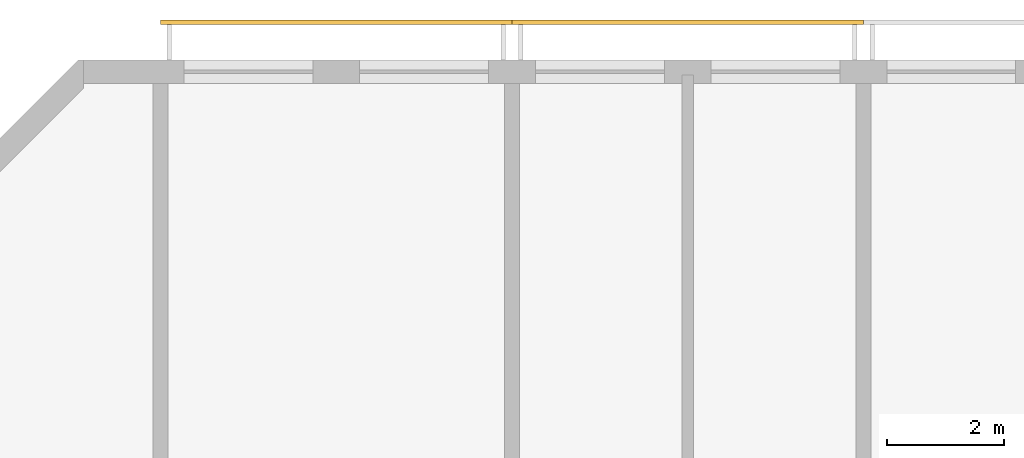
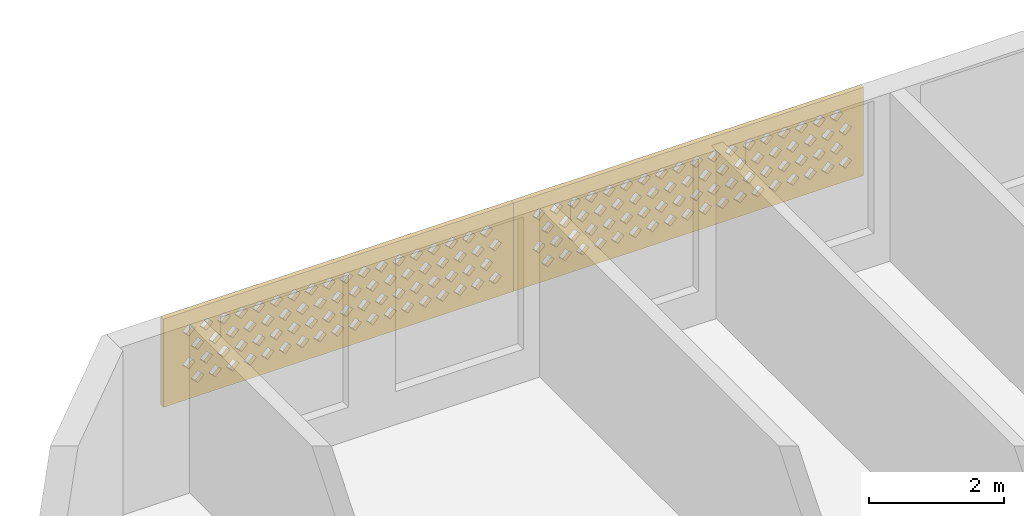
# One storey, part 13 of 18: 2 coverings.
"""IFC4 building model written with IfcOpenShell, lengths in metres."""

from ifc_helpers import new_model, si_unit, direction, frame, origin, place, context, subcontext, project, spatial, polyline, outline, extrude, source, transform, mapped, material, material_profile, profile_set, type_object, element, save


model = new_model("IFC4")

# Units and contexts
model_context = context("Model", 3, precision=1e-05, world=origin(), true_north=direction((0.0, 1.0)))
body_context = subcontext(model_context, "Body", "Model", "MODEL_VIEW")
ifc_project = project(units=[si_unit("LENGTHUNIT", "METRE"), si_unit("AREAUNIT", "SQUARE_METRE"), si_unit("VOLUMEUNIT", "CUBIC_METRE"), si_unit("PLANEANGLEUNIT", "RADIAN"), si_unit("MASSUNIT", "GRAM", prefix="KILO")], contexts=[model_context])

# Site, building, storey
site_placement = place(None, origin())
site = spatial("IfcSite", under=ifc_project, at=site_placement, CompositionType="ELEMENT")
building_placement = place(site_placement, origin())
building = spatial("IfcBuilding", under=site, at=building_placement, Name="Poui Terraces", CompositionType="ELEMENT")
storey_placement = place(building_placement, frame((0.0, 0.0, 272.39990234375)))
storey = spatial("IfcBuildingStorey", under=building, at=storey_placement, Name="L75 CROWN", CompositionType="ELEMENT", Elevation=272.39990234375)

# Coverings
ifc_material = material(Name="Terracotta screen", Category="masonry")
ifc_material_profile = material_profile(ifc_material, outline(polyline([(-3.0, -0.800048828125), (3.0, -0.800048828125), (3.0, 0.800048828125), (-3.0, 0.800048828125), (-3.0, -0.800048828125)]), holes=[polyline([(-2.800048828125, -0.449951171875), (-2.68994140625, -0.56005859375), (-2.580078125, -0.449951171875), (-2.68994140625, -0.340087890625), (-2.800048828125, -0.449951171875)]), polyline([(-2.5, -0.449951171875), (-2.389892578125, -0.56005859375), (-2.280029296875, -0.449951171875), (-2.389892578125, -0.340087890625), (-2.5, -0.449951171875)]), polyline([(-2.199951171875, -0.449951171875), (-2.090087890625, -0.56005859375), (-1.97998046875, -0.449951171875), (-2.090087890625, -0.340087890625), (-2.199951171875, -0.449951171875)]), polyline([(-1.89990234375, -0.449951171875), (-1.7900390625, -0.56005859375), (-1.679931640625, -0.449951171875), (-1.7900390625, -0.340087890625), (-1.89990234375, -0.449951171875)]), polyline([(-1.60009765625, -0.449951171875), (-1.489990234375, -0.56005859375), (-1.3798828125, -0.449951171875), (-1.489990234375, -0.340087890625), (-1.60009765625, -0.449951171875)]), polyline([(-1.300048828125, -0.449951171875), (-1.18994140625, -0.56005859375), (-1.080078125, -0.449951171875), (-1.18994140625, -0.340087890625), (-1.300048828125, -0.449951171875)]), polyline([(-1.0, -0.449951171875), (-0.889892578125, -0.56005859375), (-0.780029296875, -0.449951171875), (-0.889892578125, -0.340087890625), (-1.0, -0.449951171875)]), polyline([(-0.699951171875, -0.449951171875), (-0.590087890625, -0.56005859375), (-0.47998046875, -0.449951171875), (-0.590087890625, -0.340087890625), (-0.699951171875, -0.449951171875)]), polyline([(-0.39990234375, -0.449951171875), (-0.2900390625, -0.56005859375), (-0.179931640625, -0.449951171875), (-0.2900390625, -0.340087890625), (-0.39990234375, -0.449951171875)]), polyline([(-0.10009765625, -0.449951171875), (0.010009765625, -0.56005859375), (0.1201171875, -0.449951171875), (0.010009765625, -0.340087890625), (-0.10009765625, -0.449951171875)]), polyline([(0.199951171875, -0.449951171875), (0.31005859375, -0.56005859375), (0.419921875, -0.449951171875), (0.31005859375, -0.340087890625), (0.199951171875, -0.449951171875)]), polyline([(0.5, -0.449951171875), (0.610107421875, -0.56005859375), (0.719970703125, -0.449951171875), (0.610107421875, -0.340087890625), (0.5, -0.449951171875)]), polyline([(0.800048828125, -0.449951171875), (0.909912109375, -0.56005859375), (1.02001953125, -0.449951171875), (0.909912109375, -0.340087890625), (0.800048828125, -0.449951171875)]), polyline([(1.10009765625, -0.449951171875), (1.2099609375, -0.56005859375), (1.320068359375, -0.449951171875), (1.2099609375, -0.340087890625), (1.10009765625, -0.449951171875)]), polyline([(1.39990234375, -0.449951171875), (1.510009765625, -0.56005859375), (1.6201171875, -0.449951171875), (1.510009765625, -0.340087890625), (1.39990234375, -0.449951171875)]), polyline([(1.699951171875, -0.449951171875), (1.81005859375, -0.56005859375), (1.919921875, -0.449951171875), (1.81005859375, -0.340087890625), (1.699951171875, -0.449951171875)]), polyline([(2.0, -0.449951171875), (2.110107421875, -0.56005859375), (2.219970703125, -0.449951171875), (2.110107421875, -0.340087890625), (2.0, -0.449951171875)]), polyline([(2.300048828125, -0.449951171875), (2.409912109375, -0.56005859375), (2.52001953125, -0.449951171875), (2.409912109375, -0.340087890625), (2.300048828125, -0.449951171875)]), polyline([(-2.64990234375, -0.14990234375), (-2.5400390625, -0.260009765625), (-2.429931640625, -0.14990234375), (-2.5400390625, -0.0400390625), (-2.64990234375, -0.14990234375)]), polyline([(-2.35009765625, -0.14990234375), (-2.239990234375, -0.260009765625), (-2.1298828125, -0.14990234375), (-2.239990234375, -0.0400390625), (-2.35009765625, -0.14990234375)]), polyline([(-2.050048828125, -0.14990234375), (-1.93994140625, -0.260009765625), (-1.830078125, -0.14990234375), (-1.93994140625, -0.0400390625), (-2.050048828125, -0.14990234375)]), polyline([(-1.75, -0.14990234375), (-1.639892578125, -0.260009765625), (-1.530029296875, -0.14990234375), (-1.639892578125, -0.0400390625), (-1.75, -0.14990234375)]), polyline([(-1.449951171875, -0.14990234375), (-1.340087890625, -0.260009765625), (-1.22998046875, -0.14990234375), (-1.340087890625, -0.0400390625), (-1.449951171875, -0.14990234375)]), polyline([(-1.14990234375, -0.14990234375), (-1.0400390625, -0.260009765625), (-0.929931640625, -0.14990234375), (-1.0400390625, -0.0400390625), (-1.14990234375, -0.14990234375)]), polyline([(-0.85009765625, -0.14990234375), (-0.739990234375, -0.260009765625), (-0.6298828125, -0.14990234375), (-0.739990234375, -0.0400390625), (-0.85009765625, -0.14990234375)]), polyline([(-0.550048828125, -0.14990234375), (-0.43994140625, -0.260009765625), (-0.330078125, -0.14990234375), (-0.43994140625, -0.0400390625), (-0.550048828125, -0.14990234375)]), polyline([(-0.25, -0.14990234375), (-0.139892578125, -0.260009765625), (-0.030029296875, -0.14990234375), (-0.139892578125, -0.0400390625), (-0.25, -0.14990234375)]), polyline([(0.050048828125, -0.14990234375), (0.159912109375, -0.260009765625), (0.27001953125, -0.14990234375), (0.159912109375, -0.0400390625), (0.050048828125, -0.14990234375)]), polyline([(0.35009765625, -0.14990234375), (0.4599609375, -0.260009765625), (0.570068359375, -0.14990234375), (0.4599609375, -0.0400390625), (0.35009765625, -0.14990234375)]), polyline([(0.64990234375, -0.14990234375), (0.760009765625, -0.260009765625), (0.8701171875, -0.14990234375), (0.760009765625, -0.0400390625), (0.64990234375, -0.14990234375)]), polyline([(0.949951171875, -0.14990234375), (1.06005859375, -0.260009765625), (1.169921875, -0.14990234375), (1.06005859375, -0.0400390625), (0.949951171875, -0.14990234375)]), polyline([(1.25, -0.14990234375), (1.360107421875, -0.260009765625), (1.469970703125, -0.14990234375), (1.360107421875, -0.0400390625), (1.25, -0.14990234375)]), polyline([(1.550048828125, -0.14990234375), (1.659912109375, -0.260009765625), (1.77001953125, -0.14990234375), (1.659912109375, -0.0400390625), (1.550048828125, -0.14990234375)]), polyline([(1.85009765625, -0.14990234375), (1.9599609375, -0.260009765625), (2.070068359375, -0.14990234375), (1.9599609375, -0.0400390625), (1.85009765625, -0.14990234375)]), polyline([(2.14990234375, -0.14990234375), (2.260009765625, -0.260009765625), (2.3701171875, -0.14990234375), (2.260009765625, -0.0400390625), (2.14990234375, -0.14990234375)]), polyline([(2.449951171875, -0.14990234375), (2.56005859375, -0.260009765625), (2.669921875, -0.14990234375), (2.56005859375, -0.0400390625), (2.449951171875, -0.14990234375)]), polyline([(-2.800048828125, 0.14990234375), (-2.68994140625, 0.0400390625), (-2.580078125, 0.14990234375), (-2.68994140625, 0.260009765625), (-2.800048828125, 0.14990234375)]), polyline([(-2.5, 0.14990234375), (-2.389892578125, 0.0400390625), (-2.280029296875, 0.14990234375), (-2.389892578125, 0.260009765625), (-2.5, 0.14990234375)]), polyline([(-2.199951171875, 0.14990234375), (-2.090087890625, 0.0400390625), (-1.97998046875, 0.14990234375), (-2.090087890625, 0.260009765625), (-2.199951171875, 0.14990234375)]), polyline([(-1.89990234375, 0.14990234375), (-1.7900390625, 0.0400390625), (-1.679931640625, 0.14990234375), (-1.7900390625, 0.260009765625), (-1.89990234375, 0.14990234375)]), polyline([(-1.60009765625, 0.14990234375), (-1.489990234375, 0.0400390625), (-1.3798828125, 0.14990234375), (-1.489990234375, 0.260009765625), (-1.60009765625, 0.14990234375)]), polyline([(-1.300048828125, 0.14990234375), (-1.18994140625, 0.0400390625), (-1.080078125, 0.14990234375), (-1.18994140625, 0.260009765625), (-1.300048828125, 0.14990234375)]), polyline([(-1.0, 0.14990234375), (-0.889892578125, 0.0400390625), (-0.780029296875, 0.14990234375), (-0.889892578125, 0.260009765625), (-1.0, 0.14990234375)]), polyline([(-0.699951171875, 0.14990234375), (-0.590087890625, 0.0400390625), (-0.47998046875, 0.14990234375), (-0.590087890625, 0.260009765625), (-0.699951171875, 0.14990234375)]), polyline([(-0.39990234375, 0.14990234375), (-0.2900390625, 0.0400390625), (-0.179931640625, 0.14990234375), (-0.2900390625, 0.260009765625), (-0.39990234375, 0.14990234375)]), polyline([(-0.10009765625, 0.14990234375), (0.010009765625, 0.0400390625), (0.1201171875, 0.14990234375), (0.010009765625, 0.260009765625), (-0.10009765625, 0.14990234375)]), polyline([(0.199951171875, 0.14990234375), (0.31005859375, 0.0400390625), (0.419921875, 0.14990234375), (0.31005859375, 0.260009765625), (0.199951171875, 0.14990234375)]), polyline([(0.5, 0.14990234375), (0.610107421875, 0.0400390625), (0.719970703125, 0.14990234375), (0.610107421875, 0.260009765625), (0.5, 0.14990234375)]), polyline([(0.800048828125, 0.14990234375), (0.909912109375, 0.0400390625), (1.02001953125, 0.14990234375), (0.909912109375, 0.260009765625), (0.800048828125, 0.14990234375)]), polyline([(1.10009765625, 0.14990234375), (1.2099609375, 0.0400390625), (1.320068359375, 0.14990234375), (1.2099609375, 0.260009765625), (1.10009765625, 0.14990234375)]), polyline([(1.39990234375, 0.14990234375), (1.510009765625, 0.0400390625), (1.6201171875, 0.14990234375), (1.510009765625, 0.260009765625), (1.39990234375, 0.14990234375)]), polyline([(1.699951171875, 0.14990234375), (1.81005859375, 0.0400390625), (1.919921875, 0.14990234375), (1.81005859375, 0.260009765625), (1.699951171875, 0.14990234375)]), polyline([(2.0, 0.14990234375), (2.110107421875, 0.0400390625), (2.219970703125, 0.14990234375), (2.110107421875, 0.260009765625), (2.0, 0.14990234375)]), polyline([(2.300048828125, 0.14990234375), (2.409912109375, 0.0400390625), (2.52001953125, 0.14990234375), (2.409912109375, 0.260009765625), (2.300048828125, 0.14990234375)]), polyline([(-2.64990234375, 0.449951171875), (-2.5400390625, 0.340087890625), (-2.429931640625, 0.449951171875), (-2.5400390625, 0.56005859375), (-2.64990234375, 0.449951171875)]), polyline([(-2.35009765625, 0.449951171875), (-2.239990234375, 0.340087890625), (-2.1298828125, 0.449951171875), (-2.239990234375, 0.56005859375), (-2.35009765625, 0.449951171875)]), polyline([(-2.050048828125, 0.449951171875), (-1.93994140625, 0.340087890625), (-1.830078125, 0.449951171875), (-1.93994140625, 0.56005859375), (-2.050048828125, 0.449951171875)]), polyline([(-1.75, 0.449951171875), (-1.639892578125, 0.340087890625), (-1.530029296875, 0.449951171875), (-1.639892578125, 0.56005859375), (-1.75, 0.449951171875)]), polyline([(-1.449951171875, 0.449951171875), (-1.340087890625, 0.340087890625), (-1.22998046875, 0.449951171875), (-1.340087890625, 0.56005859375), (-1.449951171875, 0.449951171875)]), polyline([(-1.14990234375, 0.449951171875), (-1.0400390625, 0.340087890625), (-0.929931640625, 0.449951171875), (-1.0400390625, 0.56005859375), (-1.14990234375, 0.449951171875)]), polyline([(-0.85009765625, 0.449951171875), (-0.739990234375, 0.340087890625), (-0.6298828125, 0.449951171875), (-0.739990234375, 0.56005859375), (-0.85009765625, 0.449951171875)]), polyline([(-0.550048828125, 0.449951171875), (-0.43994140625, 0.340087890625), (-0.330078125, 0.449951171875), (-0.43994140625, 0.56005859375), (-0.550048828125, 0.449951171875)]), polyline([(-0.25, 0.449951171875), (-0.139892578125, 0.340087890625), (-0.030029296875, 0.449951171875), (-0.139892578125, 0.56005859375), (-0.25, 0.449951171875)]), polyline([(0.050048828125, 0.449951171875), (0.159912109375, 0.340087890625), (0.27001953125, 0.449951171875), (0.159912109375, 0.56005859375), (0.050048828125, 0.449951171875)]), polyline([(0.35009765625, 0.449951171875), (0.4599609375, 0.340087890625), (0.570068359375, 0.449951171875), (0.4599609375, 0.56005859375), (0.35009765625, 0.449951171875)]), polyline([(0.64990234375, 0.449951171875), (0.760009765625, 0.340087890625), (0.8701171875, 0.449951171875), (0.760009765625, 0.56005859375), (0.64990234375, 0.449951171875)]), polyline([(0.949951171875, 0.449951171875), (1.06005859375, 0.340087890625), (1.169921875, 0.449951171875), (1.06005859375, 0.56005859375), (0.949951171875, 0.449951171875)]), polyline([(1.25, 0.449951171875), (1.360107421875, 0.340087890625), (1.469970703125, 0.449951171875), (1.360107421875, 0.56005859375), (1.25, 0.449951171875)]), polyline([(1.550048828125, 0.449951171875), (1.659912109375, 0.340087890625), (1.77001953125, 0.449951171875), (1.659912109375, 0.56005859375), (1.550048828125, 0.449951171875)]), polyline([(1.85009765625, 0.449951171875), (1.9599609375, 0.340087890625), (2.070068359375, 0.449951171875), (1.9599609375, 0.56005859375), (1.85009765625, 0.449951171875)]), polyline([(2.14990234375, 0.449951171875), (2.260009765625, 0.340087890625), (2.3701171875, 0.449951171875), (2.260009765625, 0.56005859375), (2.14990234375, 0.449951171875)]), polyline([(2.449951171875, 0.449951171875), (2.56005859375, 0.340087890625), (2.669921875, 0.449951171875), (2.56005859375, 0.56005859375), (2.449951171875, 0.449951171875)])]), Name="TERRACOTTA SOLAR SCREEN 6000X1600")
ifc_profile_set = profile_set([ifc_material_profile], Name="Terracotta screen")
covering_type = type_object("IfcCoveringType", Name="TERRACOTTA SOLAR SCREEN 6000X1600", PredefinedType="CLADDING", material=ifc_profile_set)
shared_shape = source(origin(), body_context, "Body", "SweptSolid", [
    extrude(outline(polyline([(-3.0, -0.800048828125), (3.0, -0.800048828125), (3.0, 0.800048828125), (-3.0, 0.800048828125), (-3.0, -0.800048828125)]), holes=[polyline([(-2.800048828125, -0.449951171875), (-2.68994140625, -0.56005859375), (-2.580078125, -0.449951171875), (-2.68994140625, -0.340087890625), (-2.800048828125, -0.449951171875)]), polyline([(-2.5, -0.449951171875), (-2.389892578125, -0.56005859375), (-2.280029296875, -0.449951171875), (-2.389892578125, -0.340087890625), (-2.5, -0.449951171875)]), polyline([(-2.199951171875, -0.449951171875), (-2.090087890625, -0.56005859375), (-1.97998046875, -0.449951171875), (-2.090087890625, -0.340087890625), (-2.199951171875, -0.449951171875)]), polyline([(-1.89990234375, -0.449951171875), (-1.7900390625, -0.56005859375), (-1.679931640625, -0.449951171875), (-1.7900390625, -0.340087890625), (-1.89990234375, -0.449951171875)]), polyline([(-1.60009765625, -0.449951171875), (-1.489990234375, -0.56005859375), (-1.3798828125, -0.449951171875), (-1.489990234375, -0.340087890625), (-1.60009765625, -0.449951171875)]), polyline([(-1.300048828125, -0.449951171875), (-1.18994140625, -0.56005859375), (-1.080078125, -0.449951171875), (-1.18994140625, -0.340087890625), (-1.300048828125, -0.449951171875)]), polyline([(-1.0, -0.449951171875), (-0.889892578125, -0.56005859375), (-0.780029296875, -0.449951171875), (-0.889892578125, -0.340087890625), (-1.0, -0.449951171875)]), polyline([(-0.699951171875, -0.449951171875), (-0.590087890625, -0.56005859375), (-0.47998046875, -0.449951171875), (-0.590087890625, -0.340087890625), (-0.699951171875, -0.449951171875)]), polyline([(-0.39990234375, -0.449951171875), (-0.2900390625, -0.56005859375), (-0.179931640625, -0.449951171875), (-0.2900390625, -0.340087890625), (-0.39990234375, -0.449951171875)]), polyline([(-0.10009765625, -0.449951171875), (0.010009765625, -0.56005859375), (0.1201171875, -0.449951171875), (0.010009765625, -0.340087890625), (-0.10009765625, -0.449951171875)]), polyline([(0.199951171875, -0.449951171875), (0.31005859375, -0.56005859375), (0.419921875, -0.449951171875), (0.31005859375, -0.340087890625), (0.199951171875, -0.449951171875)]), polyline([(0.5, -0.449951171875), (0.610107421875, -0.56005859375), (0.719970703125, -0.449951171875), (0.610107421875, -0.340087890625), (0.5, -0.449951171875)]), polyline([(0.800048828125, -0.449951171875), (0.909912109375, -0.56005859375), (1.02001953125, -0.449951171875), (0.909912109375, -0.340087890625), (0.800048828125, -0.449951171875)]), polyline([(1.10009765625, -0.449951171875), (1.2099609375, -0.56005859375), (1.320068359375, -0.449951171875), (1.2099609375, -0.340087890625), (1.10009765625, -0.449951171875)]), polyline([(1.39990234375, -0.449951171875), (1.510009765625, -0.56005859375), (1.6201171875, -0.449951171875), (1.510009765625, -0.340087890625), (1.39990234375, -0.449951171875)]), polyline([(1.699951171875, -0.449951171875), (1.81005859375, -0.56005859375), (1.919921875, -0.449951171875), (1.81005859375, -0.340087890625), (1.699951171875, -0.449951171875)]), polyline([(2.0, -0.449951171875), (2.110107421875, -0.56005859375), (2.219970703125, -0.449951171875), (2.110107421875, -0.340087890625), (2.0, -0.449951171875)]), polyline([(2.300048828125, -0.449951171875), (2.409912109375, -0.56005859375), (2.52001953125, -0.449951171875), (2.409912109375, -0.340087890625), (2.300048828125, -0.449951171875)]), polyline([(-2.64990234375, -0.14990234375), (-2.5400390625, -0.260009765625), (-2.429931640625, -0.14990234375), (-2.5400390625, -0.0400390625), (-2.64990234375, -0.14990234375)]), polyline([(-2.35009765625, -0.14990234375), (-2.239990234375, -0.260009765625), (-2.1298828125, -0.14990234375), (-2.239990234375, -0.0400390625), (-2.35009765625, -0.14990234375)]), polyline([(-2.050048828125, -0.14990234375), (-1.93994140625, -0.260009765625), (-1.830078125, -0.14990234375), (-1.93994140625, -0.0400390625), (-2.050048828125, -0.14990234375)]), polyline([(-1.75, -0.14990234375), (-1.639892578125, -0.260009765625), (-1.530029296875, -0.14990234375), (-1.639892578125, -0.0400390625), (-1.75, -0.14990234375)]), polyline([(-1.449951171875, -0.14990234375), (-1.340087890625, -0.260009765625), (-1.22998046875, -0.14990234375), (-1.340087890625, -0.0400390625), (-1.449951171875, -0.14990234375)]), polyline([(-1.14990234375, -0.14990234375), (-1.0400390625, -0.260009765625), (-0.929931640625, -0.14990234375), (-1.0400390625, -0.0400390625), (-1.14990234375, -0.14990234375)]), polyline([(-0.85009765625, -0.14990234375), (-0.739990234375, -0.260009765625), (-0.6298828125, -0.14990234375), (-0.739990234375, -0.0400390625), (-0.85009765625, -0.14990234375)]), polyline([(-0.550048828125, -0.14990234375), (-0.43994140625, -0.260009765625), (-0.330078125, -0.14990234375), (-0.43994140625, -0.0400390625), (-0.550048828125, -0.14990234375)]), polyline([(-0.25, -0.14990234375), (-0.139892578125, -0.260009765625), (-0.030029296875, -0.14990234375), (-0.139892578125, -0.0400390625), (-0.25, -0.14990234375)]), polyline([(0.050048828125, -0.14990234375), (0.159912109375, -0.260009765625), (0.27001953125, -0.14990234375), (0.159912109375, -0.0400390625), (0.050048828125, -0.14990234375)]), polyline([(0.35009765625, -0.14990234375), (0.4599609375, -0.260009765625), (0.570068359375, -0.14990234375), (0.4599609375, -0.0400390625), (0.35009765625, -0.14990234375)]), polyline([(0.64990234375, -0.14990234375), (0.760009765625, -0.260009765625), (0.8701171875, -0.14990234375), (0.760009765625, -0.0400390625), (0.64990234375, -0.14990234375)]), polyline([(0.949951171875, -0.14990234375), (1.06005859375, -0.260009765625), (1.169921875, -0.14990234375), (1.06005859375, -0.0400390625), (0.949951171875, -0.14990234375)]), polyline([(1.25, -0.14990234375), (1.360107421875, -0.260009765625), (1.469970703125, -0.14990234375), (1.360107421875, -0.0400390625), (1.25, -0.14990234375)]), polyline([(1.550048828125, -0.14990234375), (1.659912109375, -0.260009765625), (1.77001953125, -0.14990234375), (1.659912109375, -0.0400390625), (1.550048828125, -0.14990234375)]), polyline([(1.85009765625, -0.14990234375), (1.9599609375, -0.260009765625), (2.070068359375, -0.14990234375), (1.9599609375, -0.0400390625), (1.85009765625, -0.14990234375)]), polyline([(2.14990234375, -0.14990234375), (2.260009765625, -0.260009765625), (2.3701171875, -0.14990234375), (2.260009765625, -0.0400390625), (2.14990234375, -0.14990234375)]), polyline([(2.449951171875, -0.14990234375), (2.56005859375, -0.260009765625), (2.669921875, -0.14990234375), (2.56005859375, -0.0400390625), (2.449951171875, -0.14990234375)]), polyline([(-2.800048828125, 0.14990234375), (-2.68994140625, 0.0400390625), (-2.580078125, 0.14990234375), (-2.68994140625, 0.260009765625), (-2.800048828125, 0.14990234375)]), polyline([(-2.5, 0.14990234375), (-2.389892578125, 0.0400390625), (-2.280029296875, 0.14990234375), (-2.389892578125, 0.260009765625), (-2.5, 0.14990234375)]), polyline([(-2.199951171875, 0.14990234375), (-2.090087890625, 0.0400390625), (-1.97998046875, 0.14990234375), (-2.090087890625, 0.260009765625), (-2.199951171875, 0.14990234375)]), polyline([(-1.89990234375, 0.14990234375), (-1.7900390625, 0.0400390625), (-1.679931640625, 0.14990234375), (-1.7900390625, 0.260009765625), (-1.89990234375, 0.14990234375)]), polyline([(-1.60009765625, 0.14990234375), (-1.489990234375, 0.0400390625), (-1.3798828125, 0.14990234375), (-1.489990234375, 0.260009765625), (-1.60009765625, 0.14990234375)]), polyline([(-1.300048828125, 0.14990234375), (-1.18994140625, 0.0400390625), (-1.080078125, 0.14990234375), (-1.18994140625, 0.260009765625), (-1.300048828125, 0.14990234375)]), polyline([(-1.0, 0.14990234375), (-0.889892578125, 0.0400390625), (-0.780029296875, 0.14990234375), (-0.889892578125, 0.260009765625), (-1.0, 0.14990234375)]), polyline([(-0.699951171875, 0.14990234375), (-0.590087890625, 0.0400390625), (-0.47998046875, 0.14990234375), (-0.590087890625, 0.260009765625), (-0.699951171875, 0.14990234375)]), polyline([(-0.39990234375, 0.14990234375), (-0.2900390625, 0.0400390625), (-0.179931640625, 0.14990234375), (-0.2900390625, 0.260009765625), (-0.39990234375, 0.14990234375)]), polyline([(-0.10009765625, 0.14990234375), (0.010009765625, 0.0400390625), (0.1201171875, 0.14990234375), (0.010009765625, 0.260009765625), (-0.10009765625, 0.14990234375)]), polyline([(0.199951171875, 0.14990234375), (0.31005859375, 0.0400390625), (0.419921875, 0.14990234375), (0.31005859375, 0.260009765625), (0.199951171875, 0.14990234375)]), polyline([(0.5, 0.14990234375), (0.610107421875, 0.0400390625), (0.719970703125, 0.14990234375), (0.610107421875, 0.260009765625), (0.5, 0.14990234375)]), polyline([(0.800048828125, 0.14990234375), (0.909912109375, 0.0400390625), (1.02001953125, 0.14990234375), (0.909912109375, 0.260009765625), (0.800048828125, 0.14990234375)]), polyline([(1.10009765625, 0.14990234375), (1.2099609375, 0.0400390625), (1.320068359375, 0.14990234375), (1.2099609375, 0.260009765625), (1.10009765625, 0.14990234375)]), polyline([(1.39990234375, 0.14990234375), (1.510009765625, 0.0400390625), (1.6201171875, 0.14990234375), (1.510009765625, 0.260009765625), (1.39990234375, 0.14990234375)]), polyline([(1.699951171875, 0.14990234375), (1.81005859375, 0.0400390625), (1.919921875, 0.14990234375), (1.81005859375, 0.260009765625), (1.699951171875, 0.14990234375)]), polyline([(2.0, 0.14990234375), (2.110107421875, 0.0400390625), (2.219970703125, 0.14990234375), (2.110107421875, 0.260009765625), (2.0, 0.14990234375)]), polyline([(2.300048828125, 0.14990234375), (2.409912109375, 0.0400390625), (2.52001953125, 0.14990234375), (2.409912109375, 0.260009765625), (2.300048828125, 0.14990234375)]), polyline([(-2.64990234375, 0.449951171875), (-2.5400390625, 0.340087890625), (-2.429931640625, 0.449951171875), (-2.5400390625, 0.56005859375), (-2.64990234375, 0.449951171875)]), polyline([(-2.35009765625, 0.449951171875), (-2.239990234375, 0.340087890625), (-2.1298828125, 0.449951171875), (-2.239990234375, 0.56005859375), (-2.35009765625, 0.449951171875)]), polyline([(-2.050048828125, 0.449951171875), (-1.93994140625, 0.340087890625), (-1.830078125, 0.449951171875), (-1.93994140625, 0.56005859375), (-2.050048828125, 0.449951171875)]), polyline([(-1.75, 0.449951171875), (-1.639892578125, 0.340087890625), (-1.530029296875, 0.449951171875), (-1.639892578125, 0.56005859375), (-1.75, 0.449951171875)]), polyline([(-1.449951171875, 0.449951171875), (-1.340087890625, 0.340087890625), (-1.22998046875, 0.449951171875), (-1.340087890625, 0.56005859375), (-1.449951171875, 0.449951171875)]), polyline([(-1.14990234375, 0.449951171875), (-1.0400390625, 0.340087890625), (-0.929931640625, 0.449951171875), (-1.0400390625, 0.56005859375), (-1.14990234375, 0.449951171875)]), polyline([(-0.85009765625, 0.449951171875), (-0.739990234375, 0.340087890625), (-0.6298828125, 0.449951171875), (-0.739990234375, 0.56005859375), (-0.85009765625, 0.449951171875)]), polyline([(-0.550048828125, 0.449951171875), (-0.43994140625, 0.340087890625), (-0.330078125, 0.449951171875), (-0.43994140625, 0.56005859375), (-0.550048828125, 0.449951171875)]), polyline([(-0.25, 0.449951171875), (-0.139892578125, 0.340087890625), (-0.030029296875, 0.449951171875), (-0.139892578125, 0.56005859375), (-0.25, 0.449951171875)]), polyline([(0.050048828125, 0.449951171875), (0.159912109375, 0.340087890625), (0.27001953125, 0.449951171875), (0.159912109375, 0.56005859375), (0.050048828125, 0.449951171875)]), polyline([(0.35009765625, 0.449951171875), (0.4599609375, 0.340087890625), (0.570068359375, 0.449951171875), (0.4599609375, 0.56005859375), (0.35009765625, 0.449951171875)]), polyline([(0.64990234375, 0.449951171875), (0.760009765625, 0.340087890625), (0.8701171875, 0.449951171875), (0.760009765625, 0.56005859375), (0.64990234375, 0.449951171875)]), polyline([(0.949951171875, 0.449951171875), (1.06005859375, 0.340087890625), (1.169921875, 0.449951171875), (1.06005859375, 0.56005859375), (0.949951171875, 0.449951171875)]), polyline([(1.25, 0.449951171875), (1.360107421875, 0.340087890625), (1.469970703125, 0.449951171875), (1.360107421875, 0.56005859375), (1.25, 0.449951171875)]), polyline([(1.550048828125, 0.449951171875), (1.659912109375, 0.340087890625), (1.77001953125, 0.449951171875), (1.659912109375, 0.56005859375), (1.550048828125, 0.449951171875)]), polyline([(1.85009765625, 0.449951171875), (1.9599609375, 0.340087890625), (2.070068359375, 0.449951171875), (1.9599609375, 0.56005859375), (1.85009765625, 0.449951171875)]), polyline([(2.14990234375, 0.449951171875), (2.260009765625, 0.340087890625), (2.3701171875, 0.449951171875), (2.260009765625, 0.56005859375), (2.14990234375, 0.449951171875)]), polyline([(2.449951171875, 0.449951171875), (2.56005859375, 0.340087890625), (2.669921875, 0.449951171875), (2.56005859375, 0.56005859375), (2.449951171875, 0.449951171875)])]), origin(), (0.0, 0.0, 1.0), 0.080078125),
])
for number, where, z_axis, x_axis, name in (
    (1, (27.0, 42.0, 1.7001953125), (0.0, 1.0, 0.0), (-1.0, 0.0, 0.0), "SOLAR SCREEN"),
    (2, (33.0, 42.0, 1.7001953125), (0.0, 1.0, 0.0), (-1.0, 0.0, 0.0), "SOLAR SCREEN"),
):
    element("IfcCovering", number, at=place(storey_placement, frame(where, z_axis=z_axis, x_axis=x_axis)), inside=storey, type_object=covering_type, Name=name, PredefinedType="CLADDING", context=body_context, shape_type="MappedRepresentation", body=[
        mapped(shared_shape, transform((0.0, 0.0, 0.0))),
    ])

save(model, "model.ifc")
